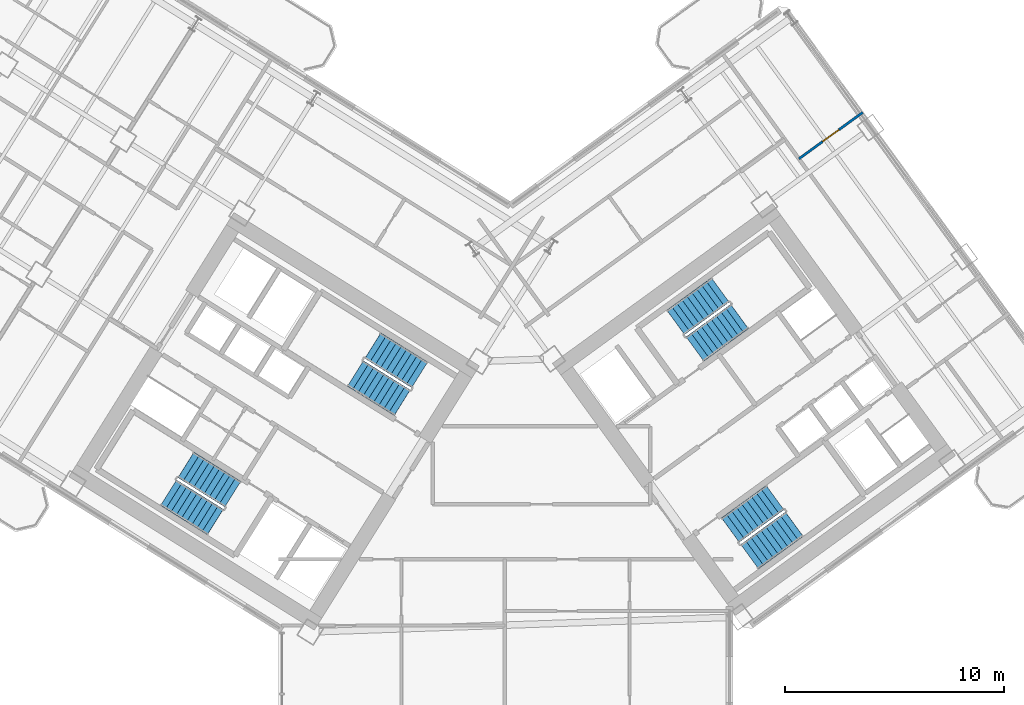
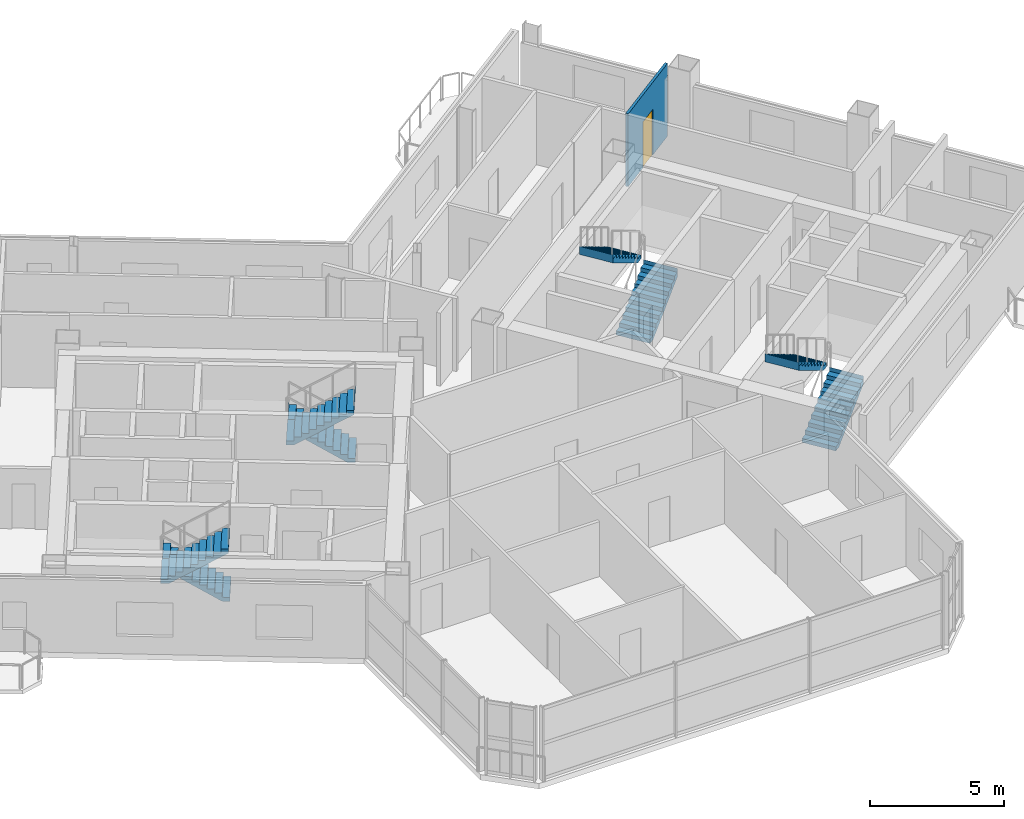
# One storey, part 17 of 22: 8 stair flights, 1 door, 1 wall, 1 opening, 4 elements without a shape of their own.
"""IFC4 building model written with IfcOpenShell, lengths in metres."""

from ifc_helpers import new_model, si_unit, direction, frame, frame_2d, origin, place, context, subcontext, project, spatial, polyline, rectangle, outline, extrude, source, transform, mapped, material, layer, layer_set, type_object, element, fill, aggregate, save


model = new_model("IFC4")

# Units and contexts
model_context = context("Model", 3, precision=1e-05, world=origin(), true_north=direction((0.0, 1.0)))
body_context = subcontext(model_context, "Body", "Model", "MODEL_VIEW")
ifc_project = project(units=[si_unit("LENGTHUNIT", "METRE"), si_unit("AREAUNIT", "SQUARE_METRE"), si_unit("VOLUMEUNIT", "CUBIC_METRE"), si_unit("PLANEANGLEUNIT", "RADIAN"), si_unit("MASSUNIT", "GRAM", prefix="KILO")], contexts=[model_context])

# Site, building, storey
site_placement = place(None, origin())
site = spatial("IfcSite", under=ifc_project, at=site_placement, CompositionType="ELEMENT")
building_placement = place(site_placement, origin())
building = spatial("IfcBuilding", under=site, at=building_placement, Name="Tlacorven Tower", CompositionType="ELEMENT")
storey_placement = place(building_placement, frame((0.0, 0.0, 97.199951171875)))
storey = spatial("IfcBuildingStorey", under=building, at=storey_placement, Name="L24", CompositionType="ELEMENT", Elevation=97.199951171875)

# Wall, opening, door
ifc_material_1 = material(Name="Gypsum plasterboard partition", Category="gypsum")
ifc_layer = layer(ifc_material_1, 0.110107421875)
ifc_layer_set = layer_set([ifc_layer], Name="Gypsum plasterboard partition")
wall_type = type_object("IfcWallType", Name="WL-INT-110", PredefinedType="PARTITIONING", material=ifc_layer_set)
wall_placement = place(storey_placement, frame((55.40869140625, 33.73828125, 0.0), z_axis=(0.0, 0.0, 1.0), x_axis=(0.809005039917, 0.58780170584, 0.0)))
wall = element("IfcWall", 1, at=wall_placement, inside=storey, type_object=wall_type, Name="L24 partition 107", PredefinedType="PARTITIONING", context=body_context, shape_type="SweptSolid", body=[
    extrude(rectangle(XDim=3.610107421875, YDim=0.110107421875, at=frame_2d((1.80517578125, 0.0))), origin(), (0.0, 0.0, 1.0), 3.31005859375),
])
opening_placement = place(wall_placement, frame((1.344970703125, 0.0, 0.0)))
opening = element("IfcOpeningElement", 2, at=opening_placement, cuts=wall, Name="Opening D12", PredefinedType="OPENING", context=body_context, shape_type="SweptSolid", body=[
    extrude(rectangle(XDim=0.919921875, YDim=2.080078125, at=frame_2d((0.4599609375, 1.0400390625))), frame((0.0, 0.06494140625, 0.0), z_axis=(0.0, -1.0, 0.0), x_axis=(1.0, 0.0, 0.0)), (0.0, 0.0, 1.0), 0.130126953125),
])
ifc_material_2 = material(Name="Powder-coated aluminium and timber door", Category="wood")
door_type = type_object("IfcDoorType", Name="DR-INT-ROOM-0920", OperationType="NOTDEFINED", PredefinedType="DOOR", material=ifc_material_2)
shared_shape_1 = source(origin(), body_context, "Body", "SweptSolid", [
    extrude(rectangle(XDim=0.919921875, YDim=2.080078125, at=frame_2d((0.4599609375, 1.0400390625))), frame((0.0, 0.02490234375, 0.0), z_axis=(0.0, -1.0, 0.0), x_axis=(1.0, 0.0, 0.0)), (0.0, 0.0, 1.0), 0.050048828125),
])
door_placement = place(opening_placement, origin())
door = element("IfcDoor", 3, at=door_placement, inside=storey, type_object=door_type, Name="L24 door 067", OperationType="SINGLE_SWING_LEFT", OverallHeight=2.080078125, OverallWidth=0.919921875, PredefinedType="DOOR", context=body_context, shape_type="MappedRepresentation", body=[
    mapped(shared_shape_1, transform((0.0, 0.0, 0.0), scale=1.0)),
])
fill(opening, door)

# Stair, stair flights
ifc_material_3 = material(Name="Concrete C40/50", Category="concrete")
stair_type = type_object("IfcStairType", Name="ST-CORE-DLG", PredefinedType="HALF_TURN_STAIR", material=ifc_material_3)
stair_1_placement = place(storey_placement, origin())
stair_1 = element("IfcStair", 4, at=stair_1_placement, inside=storey, type_object=stair_type, Name="L24 Protected Exit Stair West 1", PredefinedType="HALF_TURN_STAIR")
stair_flight_type = type_object("IfcStairFlightType", Name="SFL-RC-1380", PredefinedType="STRAIGHT", material=ifc_material_3)
shared_shape_2 = source(origin(), body_context, "Body", "SweptSolid", [
    extrude(outline(polyline([(-0.0029296875, -0.0029296875), (-0.0029296875, 0.179931640625), (0.280029296875, 0.179931640625), (0.280029296875, 0.360107421875), (0.56005859375, 0.360107421875), (0.56005859375, 0.5400390625), (0.840087890625, 0.5400390625), (0.840087890625, 0.719970703125), (1.1201171875, 0.719970703125), (1.1201171875, 0.89990234375), (1.39990234375, 0.89990234375), (1.39990234375, 1.080078125), (1.679931640625, 1.080078125), (1.679931640625, 1.260009765625), (1.9599609375, 1.260009765625), (1.9599609375, 1.43994140625), (2.239990234375, 1.43994140625), (2.239990234375, 1.6201171875), (2.52001953125, 1.6201171875), (2.52001953125, 1.800048828125), (2.52294921875, 1.800048828125), (2.52294921875, 1.429931640625), (2.52001953125, 1.429931640625), (0.295654296875, 0.0), (0.295654296875, -0.0029296875), (-0.0029296875, -0.0029296875)])), frame((0.0, 0.68994140625, 0.0), z_axis=(0.0, -1.0, 0.0), x_axis=(1.0, 0.0, 0.0)), (0.0, 0.0, 1.0), 1.3798828125),
])
stair_flight_1_placement = place(storey_placement, frame((29.499755859375, 18.39453125, 0.0), z_axis=(0.0, 0.0, 1.0), x_axis=(-0.848048096156, 0.529919264233, 0.0)))
stair_flight_1 = element("IfcStairFlight", 5, at=stair_flight_1_placement, type_object=stair_flight_type, Name="ST-W1 flight 1", NumberOfRisers=10, NumberOfTreads=9, PredefinedType="STRAIGHT", RiserHeight=0.18, TreadLength=0.28, context=body_context, shape_type="MappedRepresentation", body=[
    mapped(shared_shape_2, transform((0.0, 0.0, 0.0), scale=1.0)),
])
stair_flight_2_placement = place(storey_placement, frame((26.56787109375, 18.4580078125, 1.800048828125), z_axis=(0.0, 0.0, 1.0), x_axis=(0.848048096156, -0.529919264233, 0.0)))
stair_flight_2 = element("IfcStairFlight", 6, at=stair_flight_2_placement, type_object=stair_flight_type, Name="ST-W1 flight 2", NumberOfRisers=10, NumberOfTreads=9, PredefinedType="STRAIGHT", RiserHeight=0.18, TreadLength=0.28, context=body_context, shape_type="MappedRepresentation", body=[
    mapped(shared_shape_2, transform((0.0, 0.0, 0.0), scale=1.0)),
])
aggregate(stair_1, [stair_flight_1, stair_flight_2])

stair_2_placement = place(storey_placement, origin())
stair_2 = element("IfcStair", 7, at=stair_2_placement, inside=storey, type_object=stair_type, Name="L24 Protected Exit Stair West 2", PredefinedType="HALF_TURN_STAIR")
stair_flight_3_placement = place(storey_placement, frame((38.051513671875, 23.852294921875, 0.0), z_axis=(0.0, 0.0, 1.0), x_axis=(-0.848048096156, 0.529919264233, 0.0)))
stair_flight_3 = element("IfcStairFlight", 8, at=stair_flight_3_placement, type_object=stair_flight_type, Name="ST-W2 flight 1", NumberOfRisers=10, NumberOfTreads=9, PredefinedType="STRAIGHT", RiserHeight=0.18, TreadLength=0.28, context=body_context, shape_type="MappedRepresentation", body=[
    mapped(shared_shape_2, transform((0.0, 0.0, 0.0), scale=1.0)),
])
stair_flight_4_placement = place(storey_placement, frame((35.119384765625, 23.91552734375, 1.800048828125), z_axis=(0.0, 0.0, 1.0), x_axis=(0.848048096156, -0.529919264233, 0.0)))
stair_flight_4 = element("IfcStairFlight", 9, at=stair_flight_4_placement, type_object=stair_flight_type, Name="ST-W2 flight 2", NumberOfRisers=10, NumberOfTreads=9, PredefinedType="STRAIGHT", RiserHeight=0.18, TreadLength=0.28, context=body_context, shape_type="MappedRepresentation", body=[
    mapped(shared_shape_2, transform((0.0, 0.0, 0.0), scale=1.0)),
])
aggregate(stair_2, [stair_flight_3, stair_flight_4])

stair_3_placement = place(storey_placement, origin())
stair_3 = element("IfcStair", 10, at=stair_3_placement, inside=storey, type_object=stair_type, Name="L24 Protected Exit Stair East 1", PredefinedType="HALF_TURN_STAIR")
stair_flight_5_placement = place(storey_placement, frame((50.6533203125, 25.0400390625, 0.0), z_axis=(0.0, 0.0, 1.0), x_axis=(0.809016994375, 0.587785252292, 0.0)))
stair_flight_5 = element("IfcStairFlight", 11, at=stair_flight_5_placement, type_object=stair_flight_type, Name="ST-E1 flight 1", NumberOfRisers=10, NumberOfTreads=9, PredefinedType="STRAIGHT", RiserHeight=0.18, TreadLength=0.28, context=body_context, shape_type="MappedRepresentation", body=[
    mapped(shared_shape_2, transform((0.0, 0.0, 0.0), scale=1.0)),
])
stair_flight_6_placement = place(storey_placement, frame((51.810546875, 27.734619140625, 1.800048828125), z_axis=(0.0, 0.0, 1.0), x_axis=(-0.809016994375, -0.587785252292, 0.0)))
stair_flight_6 = element("IfcStairFlight", 12, at=stair_flight_6_placement, type_object=stair_flight_type, Name="ST-E1 flight 2", NumberOfRisers=10, NumberOfTreads=9, PredefinedType="STRAIGHT", RiserHeight=0.18, TreadLength=0.28, context=body_context, shape_type="MappedRepresentation", body=[
    mapped(shared_shape_2, transform((0.0, 0.0, 0.0), scale=1.0)),
])
aggregate(stair_3, [stair_flight_5, stair_flight_6])

stair_4_placement = place(storey_placement, origin())
stair_4 = element("IfcStair", 13, at=stair_4_placement, inside=storey, type_object=stair_type, Name="L24 Protected Exit Stair East 2", PredefinedType="HALF_TURN_STAIR")
stair_flight_7_placement = place(storey_placement, frame((53.157470703125, 15.536865234375, 0.0), z_axis=(0.0, 0.0, 1.0), x_axis=(0.809016994375, 0.587785252292, 0.0)))
stair_flight_7 = element("IfcStairFlight", 14, at=stair_flight_7_placement, type_object=stair_flight_type, Name="ST-E2 flight 1", NumberOfRisers=10, NumberOfTreads=9, PredefinedType="STRAIGHT", RiserHeight=0.18, TreadLength=0.28, context=body_context, shape_type="MappedRepresentation", body=[
    mapped(shared_shape_2, transform((0.0, 0.0, 0.0), scale=1.0)),
])
stair_flight_8_placement = place(storey_placement, frame((54.314453125, 18.231689453125, 1.800048828125), z_axis=(0.0, 0.0, 1.0), x_axis=(-0.809016994375, -0.587785252292, 0.0)))
stair_flight_8 = element("IfcStairFlight", 15, at=stair_flight_8_placement, type_object=stair_flight_type, Name="ST-E2 flight 2", NumberOfRisers=10, NumberOfTreads=9, PredefinedType="STRAIGHT", RiserHeight=0.18, TreadLength=0.28, context=body_context, shape_type="MappedRepresentation", body=[
    mapped(shared_shape_2, transform((0.0, 0.0, 0.0), scale=1.0)),
])
aggregate(stair_4, [stair_flight_7, stair_flight_8])

save(model, "model.ifc")
